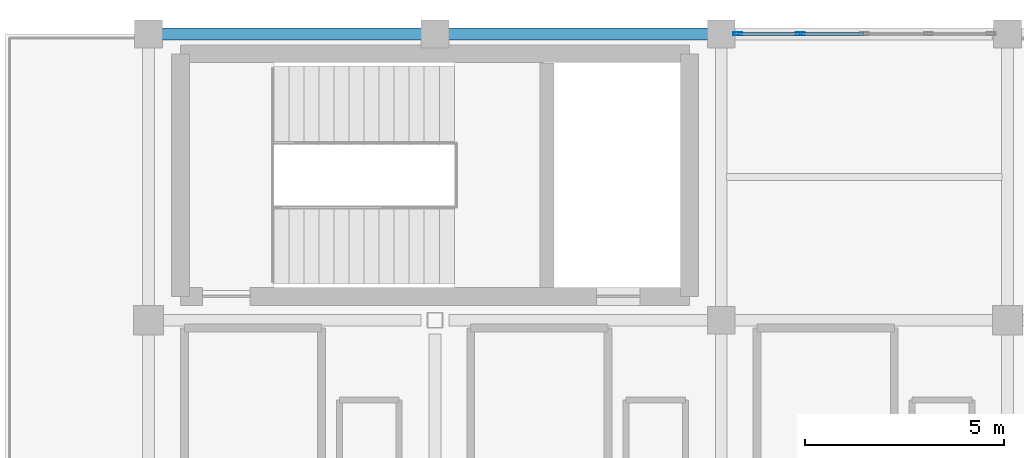
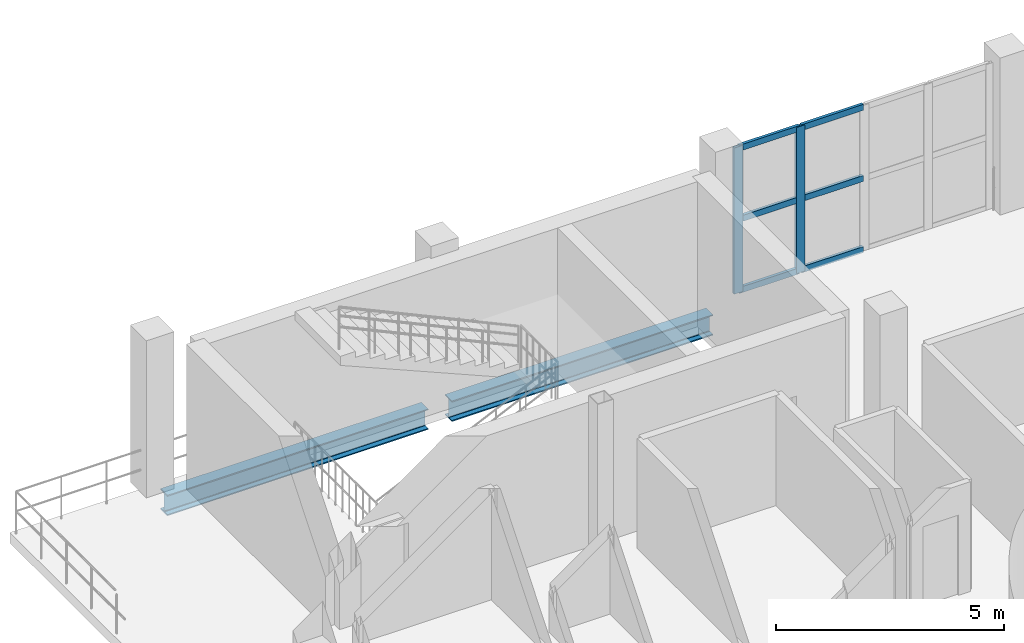
# One storey, part 84 of 130: 8 members, 2 beams, 1 element without a shape of its own.
"""IFC4 building model written with IfcOpenShell, lengths in metres."""

import ifcopenshell
import ifcopenshell.guid

model = None  # the IFC model being written
_history = None  # IfcOwnerHistory: only IFC2X3 demands one
_inside = {}  # id of a spatial element -> (the spatial element, [elements in it])
_under = {}  # id of a project, library or spatial element -> (it, [spatial elements below it])
_declared = {}  # id of a project -> (the project, [libraries it declares])
_typed = {}  # id of a type object -> (the type object, [elements of that type])
_made_of = {}  # id of a material, layer set ... -> (it, [elements and type objects made of it])


def new_model(schema):
    """Start an empty IFC model of exactly this schema.

    Asked for "IFC4X3", IfcOpenShell would pick the latest addendum, in which some entities
    have other attributes; the version numbers below select the first issue.
    IFC2X3 requires an IfcOwnerHistory on every rooted entity: one is made here for all.
    """
    global model, _history
    if schema == "IFC4X3":
        model = ifcopenshell.file(schema_version=(4, 3, 0, 0))
    else:
        model = ifcopenshell.file(schema=schema)
    _inside.clear()
    _under.clear()
    _declared.clear()
    _typed.clear()
    _made_of.clear()
    _history = None
    if model.schema == "IFC2X3":
        org = make("IfcOrganization", Name="unknown")
        user = make(
            "IfcPersonAndOrganization",
            ThePerson=make("IfcPerson", FamilyName="unknown"),
            TheOrganization=org,
        )
        app = make(
            "IfcApplication",
            ApplicationDeveloper=org,
            Version="unknown",
            ApplicationFullName="unknown",
            ApplicationIdentifier="unknown",
        )
        _history = make(
            "IfcOwnerHistory",
            OwningUser=user,
            OwningApplication=app,
            ChangeAction="ADDED",
            CreationDate=0,
        )
    return model


def make(cls, **values):
    """One entity of the class cls with the attributes given. An attribute that is None is left unset."""
    return model.create_entity(
        cls, **{name: value for name, value in values.items() if value is not None}
    )


def rooted(cls, **values):
    """An entity with a GlobalId (a new one), such as an element, a storey or a relation."""
    return make(cls, GlobalId=ifcopenshell.guid.new(), OwnerHistory=_history, **values)


def si_unit(unit_type, name, prefix=None):
    """IfcSIUnit, for example si_unit("LENGTHUNIT", "METRE", prefix="MILLI")."""
    return make("IfcSIUnit", UnitType=unit_type, Prefix=prefix, Name=name)


def assignment(units):
    """IfcUnitAssignment: the units of a project."""
    return None if units is None else make("IfcUnitAssignment", Units=units)


def point(xyz):
    """IfcCartesianPoint."""
    return None if xyz is None else make("IfcCartesianPoint", Coordinates=xyz)


def direction(xyz):
    """IfcDirection."""
    return None if xyz is None else make("IfcDirection", DirectionRatios=xyz)


def frame(location, z_axis=None, x_axis=None):
    """IfcAxis2Placement3D, a coordinate frame: its origin and axes. An axis left out is left unset."""
    return make(
        "IfcAxis2Placement3D",
        Location=point(location),
        Axis=direction(z_axis),
        RefDirection=direction(x_axis),
    )


def frame_2d(location, x_axis=None):
    """IfcAxis2Placement2D, a coordinate frame in the plane: its origin and x axis."""
    return make(
        "IfcAxis2Placement2D", Location=point(location), RefDirection=direction(x_axis)
    )


def origin():
    """The frame at (0, 0, 0) with its axes left unset."""
    return frame((0.0, 0.0, 0.0))


def origin_2d():
    """The frame at (0, 0) in the plane with its x axis left unset."""
    return frame_2d((0.0, 0.0))


def place(relative_to, where):
    """IfcLocalPlacement: puts the frame where relative to a parent placement (None: the world)."""
    return make(
        "IfcLocalPlacement", PlacementRelTo=relative_to, RelativePlacement=where
    )


def context(
    kind, dimensions, precision=None, world=None, true_north=None, identifier=None
):
    """IfcGeometricRepresentationContext, for example the 3D "Model" context."""
    return make(
        "IfcGeometricRepresentationContext",
        ContextIdentifier=identifier,
        ContextType=kind,
        CoordinateSpaceDimension=dimensions,
        Precision=precision,
        WorldCoordinateSystem=world,
        TrueNorth=true_north,
    )


def subcontext(parent, identifier, kind, view, scale=None):
    """IfcGeometricRepresentationSubContext, for example "Body" below "Model"."""
    return make(
        "IfcGeometricRepresentationSubContext",
        ContextIdentifier=identifier,
        ContextType=kind,
        ParentContext=parent,
        TargetScale=scale,
        TargetView=view,
    )


def project(units=None, contexts=None):
    """IfcProject with its units and contexts."""
    return rooted(
        "IfcProject",
        Name="project",
        RepresentationContexts=contexts,
        UnitsInContext=assignment(units),
    )


def spatial(cls, under=None, at=None, **own):
    """A site, building, storey or space (cls), placed at a placement, below another one or the project."""
    s = rooted(cls, ObjectPlacement=at, **own)
    if under is not None:
        _under.setdefault(under.id(), (under, []))[1].append(s)
    return s


def profile(cls, at=None, kind="AREA", **sizes):
    """A parametric profile (cls). Its sizes go by their IFC names, for example OverallWidth=200.0."""
    return make(cls, ProfileType=kind, Position=at, **sizes)


def hollow_rectangle(**sizes):
    """IfcRectangleHollowProfileDef."""
    return profile("IfcRectangleHollowProfileDef", **sizes)


def i_section(**sizes):
    """IfcIShapeProfileDef."""
    return profile("IfcIShapeProfileDef", **sizes)


def extrude(swept, where, along, depth):
    """IfcExtrudedAreaSolid: the profile swept, set in the frame where, extruded along a direction by depth."""
    return make(
        "IfcExtrudedAreaSolid",
        SweptArea=swept,
        Position=where,
        ExtrudedDirection=direction(along),
        Depth=depth,
    )


def shape(context_of_items, identifier, shape_type, items):
    """IfcShapeRepresentation: the items that make up one representation, for example the "Body"."""
    return make(
        "IfcShapeRepresentation",
        ContextOfItems=context_of_items,
        RepresentationIdentifier=identifier,
        RepresentationType=shape_type,
        Items=items,
    )


def material(Name=None, Category=None):
    """IfcMaterial."""
    return make("IfcMaterial", Name=Name, Category=Category)


def material_profile(
    of_material, cross_section, Name=None, Category=None, Priority=None
):
    """IfcMaterialProfile: a cross section and its material."""
    return make(
        "IfcMaterialProfile",
        Name=Name,
        Material=of_material,
        Profile=cross_section,
        Priority=Priority,
        Category=Category,
    )


def profile_set(profiles, Name=None, composite=None):
    """IfcMaterialProfileSet."""
    return make(
        "IfcMaterialProfileSet",
        Name=Name,
        MaterialProfiles=profiles,
        CompositeProfile=composite,
    )


def made_of(thing, what):
    """Note that an element or type object is made of a material, layer set ...; save() writes the relation."""
    if what is not None:
        _made_of.setdefault(what.id(), (what, []))[1].append(thing)
    return thing


def type_object(cls, material=None, **own):
    """A type object (cls), such as IfcWallType, which elements share."""
    return made_of(rooted(cls, **own), material)


def element(
    cls,
    number,
    at=None,
    inside=None,
    cuts=None,
    type_object=None,
    material=None,
    context=None,
    identifier="Body",
    shape_type=None,
    held_by="IfcProductDefinitionShape",
    body=None,
    shapes=None,
    **own,
):
    """One element of the class cls, such as IfcWall. Its Tag is "e" and its number.

    at: its placement. inside: the storey or other place that contains it. cuts: it is an
    opening in that element (IfcRelVoidsElement). A single representation is given by context,
    identifier, shape_type and body (its items); several are given by shapes. held_by: the class
    of the entity that holds the representations. save() writes the other relations.
    """
    e = rooted(cls, Tag="e%d" % number, ObjectPlacement=at, **own)
    if body is not None:
        shapes = [shape(context, identifier, shape_type, body)]
    if shapes is not None:
        e.Representation = make(held_by, Representations=shapes)
    if inside is not None:
        _inside.setdefault(inside.id(), (inside, []))[1].append(e)
    if cuts is not None:
        rooted(
            "IfcRelVoidsElement", RelatingBuildingElement=cuts, RelatedOpeningElement=e
        )
    if type_object is not None:
        _typed.setdefault(type_object.id(), (type_object, []))[1].append(e)
    return made_of(e, material)


def aggregate(whole, parts):
    """IfcRelAggregates: a whole, such as a stair, and the parts it consists of."""
    return rooted("IfcRelAggregates", RelatingObject=whole, RelatedObjects=parts)


def save(model, path):
    """Write the relations noted so far, then the file.

    IfcRelAggregates (storeys below a building ...), IfcRelContainedInSpatialStructure (elements
    in a storey), IfcRelDefinesByType, IfcRelAssociatesMaterial and IfcRelDeclares: one each for
    every whole, place, type object, material and project.
    """
    for whole, parts in _under.values():
        aggregate(whole, parts)
    for where, things in _inside.values():
        rooted(
            "IfcRelContainedInSpatialStructure",
            RelatedElements=things,
            RelatingStructure=where,
        )
    for kind, things in _typed.values():
        rooted("IfcRelDefinesByType", RelatedObjects=things, RelatingType=kind)
    for what, things in _made_of.values():
        rooted("IfcRelAssociatesMaterial", RelatedObjects=things, RelatingMaterial=what)
    for by, libraries in _declared.values():
        rooted("IfcRelDeclares", RelatingContext=by, RelatedDefinitions=libraries)
    model.write(path)


model = new_model("IFC4")

# Units and contexts
model_context = context("Model", 3, precision=1e-05, world=origin(), true_north=direction((0.0, 1.0)))
body_context = subcontext(model_context, "Body", "Model", "MODEL_VIEW")
ifc_project = project(units=[si_unit("LENGTHUNIT", "METRE"), si_unit("AREAUNIT", "SQUARE_METRE"), si_unit("VOLUMEUNIT", "CUBIC_METRE"), si_unit("PLANEANGLEUNIT", "RADIAN"), si_unit("MASSUNIT", "GRAM", prefix="KILO")], contexts=[model_context])

# Site, building, storey
site_placement = place(None, origin())
site = spatial("IfcSite", under=ifc_project, at=site_placement, CompositionType="ELEMENT")
building_placement = place(site_placement, origin())
building = spatial("IfcBuilding", under=site, at=building_placement, Name="Qandorah Velis Arena", CompositionType="ELEMENT")
storey_placement = place(building_placement, frame((0.0, 0.0, 9.60009765625)))
storey = spatial("IfcBuildingStorey", under=building, at=storey_placement, Name="L02", CompositionType="ELEMENT", Elevation=9.60009765625)

# Curtain wall, members
ifc_material_1 = material(Name="Solar-control low-E double glazing", Category="glass")
curtain_wall_type = type_object("IfcCurtainWallType", Name="ARC-CW-SYS13", PredefinedType="USERDEFINED", material=ifc_material_1)
curtain_wall_placement = place(storey_placement, origin())
curtain_wall = element("IfcCurtainWall", 1, at=curtain_wall_placement, inside=storey, type_object=curtain_wall_type, Name="Unitised curtain wall L02-085", ObjectType="UNITISED CURTAIN WALL", PredefinedType="USERDEFINED")
ifc_material_2 = material(Name="Champagne-bronze anodized aluminium 6063-T6", Category="aluminium")
ifc_material_profile_1 = material_profile(ifc_material_2, hollow_rectangle(XDim=0.074951171875, YDim=0.219970703125, WallThickness=0.00390625, at=origin_2d()), Name="ALU MULLION 75x220")
ifc_profile_set_1 = profile_set([ifc_material_profile_1], Name="Champagne-bronze anodized aluminium 6063-T6")
member_type_1 = type_object("IfcMemberType", Name="ARC-CWM-220", PredefinedType="MULLION", material=ifc_profile_set_1)
member_1_placement = place(storey_placement, frame((43.612548828125, 129.60009765625, -0.01513671875), z_axis=(0.0, 0.0, 1.0), x_axis=(0.0, 1.0, 0.0)))
member_1 = element("IfcMember", 2, at=member_1_placement, type_object=member_type_1, Name="CW13 mullion 1", PredefinedType="MULLION", context=body_context, shape_type="SweptSolid", body=[
    extrude(hollow_rectangle(XDim=0.074951171875, YDim=0.219970703125, WallThickness=0.00390625, at=origin_2d()), origin(), (0.0, 0.0, 1.0), 3.91015625),
])
member_2_placement = place(storey_placement, frame((45.1875, 129.60009765625, -0.01513671875), z_axis=(0.0, 0.0, 1.0), x_axis=(0.0, 1.0, 0.0)))
member_2 = element("IfcMember", 3, at=member_2_placement, type_object=member_type_1, Name="CW13 mullion 2", PredefinedType="MULLION", context=body_context, shape_type="SweptSolid", body=[
    extrude(hollow_rectangle(XDim=0.074951171875, YDim=0.219970703125, WallThickness=0.00390625, at=origin_2d()), origin(), (0.0, 0.0, 1.0), 3.91015625),
])
ifc_material_profile_2 = material_profile(ifc_material_2, hollow_rectangle(XDim=0.074951171875, YDim=0.159912109375, WallThickness=0.00341796875, at=origin_2d()), Name="ALU TRANSOM 75x160")
ifc_profile_set_2 = profile_set([ifc_material_profile_2], Name="Champagne-bronze anodized aluminium 6063-T6")
member_type_2 = type_object("IfcMemberType", Name="ARC-CWT-160", PredefinedType="USERDEFINED", material=ifc_profile_set_2)
member_3_placement = place(storey_placement, frame((43.637939453125, 129.60009765625, 0.037353515625), z_axis=(1.0, 0.0, 0.0), x_axis=(0.0, 1.0, 0.0)))
member_3 = element("IfcMember", 4, at=member_3_placement, type_object=member_type_2, Name="CW13 transom 1.1", ObjectType="TRANSOM", PredefinedType="USERDEFINED", context=body_context, shape_type="SweptSolid", body=[
    extrude(hollow_rectangle(XDim=0.074951171875, YDim=0.159912109375, WallThickness=0.00341796875, at=origin_2d()), origin(), (0.0, 0.0, 1.0), 1.524169921875),
])
member_4_placement = place(storey_placement, frame((43.637939453125, 129.60009765625, 1.93994140625), z_axis=(1.0, 0.0, 0.0), x_axis=(0.0, 1.0, 0.0)))
member_4 = element("IfcMember", 5, at=member_4_placement, type_object=member_type_2, Name="CW13 transom 1.2", ObjectType="TRANSOM", PredefinedType="USERDEFINED", context=body_context, shape_type="SweptSolid", body=[
    extrude(hollow_rectangle(XDim=0.074951171875, YDim=0.159912109375, WallThickness=0.00341796875, at=origin_2d()), origin(), (0.0, 0.0, 1.0), 1.524169921875),
])
member_5_placement = place(storey_placement, frame((43.637939453125, 129.60009765625, 3.84228515625), z_axis=(1.0, 0.0, 0.0), x_axis=(0.0, 1.0, 0.0)))
member_5 = element("IfcMember", 6, at=member_5_placement, type_object=member_type_2, Name="CW13 transom 1.3", ObjectType="TRANSOM", PredefinedType="USERDEFINED", context=body_context, shape_type="SweptSolid", body=[
    extrude(hollow_rectangle(XDim=0.074951171875, YDim=0.159912109375, WallThickness=0.00341796875, at=origin_2d()), origin(), (0.0, 0.0, 1.0), 1.524169921875),
])
member_6_placement = place(storey_placement, frame((45.212890625, 129.60009765625, 0.037353515625), z_axis=(1.0, 0.0, 0.0), x_axis=(0.0, 1.0, 0.0)))
member_6 = element("IfcMember", 7, at=member_6_placement, type_object=member_type_2, Name="CW13 transom 2.1", ObjectType="TRANSOM", PredefinedType="USERDEFINED", context=body_context, shape_type="SweptSolid", body=[
    extrude(hollow_rectangle(XDim=0.074951171875, YDim=0.159912109375, WallThickness=0.00341796875, at=origin_2d()), origin(), (0.0, 0.0, 1.0), 1.5615234375),
])
member_7_placement = place(storey_placement, frame((45.212890625, 129.60009765625, 1.93994140625), z_axis=(1.0, 0.0, 0.0), x_axis=(0.0, 1.0, 0.0)))
member_7 = element("IfcMember", 8, at=member_7_placement, type_object=member_type_2, Name="CW13 transom 2.2", ObjectType="TRANSOM", PredefinedType="USERDEFINED", context=body_context, shape_type="SweptSolid", body=[
    extrude(hollow_rectangle(XDim=0.074951171875, YDim=0.159912109375, WallThickness=0.00341796875, at=origin_2d()), origin(), (0.0, 0.0, 1.0), 1.5615234375),
])
member_8_placement = place(storey_placement, frame((45.212890625, 129.60009765625, 3.84228515625), z_axis=(1.0, 0.0, 0.0), x_axis=(0.0, 1.0, 0.0)))
member_8 = element("IfcMember", 9, at=member_8_placement, type_object=member_type_2, Name="CW13 transom 2.3", ObjectType="TRANSOM", PredefinedType="USERDEFINED", context=body_context, shape_type="SweptSolid", body=[
    extrude(hollow_rectangle(XDim=0.074951171875, YDim=0.159912109375, WallThickness=0.00341796875, at=origin_2d()), origin(), (0.0, 0.0, 1.0), 1.5615234375),
])
aggregate(curtain_wall, [member_1, member_2, member_3, member_4, member_5, member_6, member_7, member_8])

# Beams
ifc_material_3 = material(Name="Steel S355", Category="steel")
ifc_material_profile_3 = material_profile(ifc_material_3, i_section(OverallWidth=0.300048828125, OverallDepth=0.550048828125, WebThickness=0.014892578125, FlangeThickness=0.029052734375, FilletRadius=0.027099609375, at=origin_2d()), Name="HEB 550")
ifc_profile_set_3 = profile_set([ifc_material_profile_3], Name="Steel S355")
beam_type = type_object("IfcBeamType", Name="STR-BM-HEB550", PredefinedType="BEAM", material=ifc_profile_set_3)
for number, where, z_axis, x_axis, name in (
    (10, (29.10009765625, 129.60009765625, -0.55517578125), (1.0, 0.0, 0.0), (0.0, 1.0, 0.0), "Primary floor girder L02 X-172"),
    (11, (36.300048828125, 129.60009765625, -0.55517578125), (1.0, 0.0, 0.0), (0.0, 1.0, 0.0), "Primary floor girder L02 X-173"),
):
    element("IfcBeam", number, at=place(storey_placement, frame(where, z_axis=z_axis, x_axis=x_axis)), inside=storey, type_object=beam_type, Name=name, PredefinedType="BEAM", context=body_context, shape_type="SweptSolid", body=[
        extrude(i_section(OverallWidth=0.300048828125, OverallDepth=0.550048828125, WebThickness=0.014892578125, FlangeThickness=0.029052734375, FilletRadius=0.027099609375, at=origin_2d()), origin(), (0.0, 0.0, 1.0), 6.599853515625),
    ])

save(model, "model.ifc")
